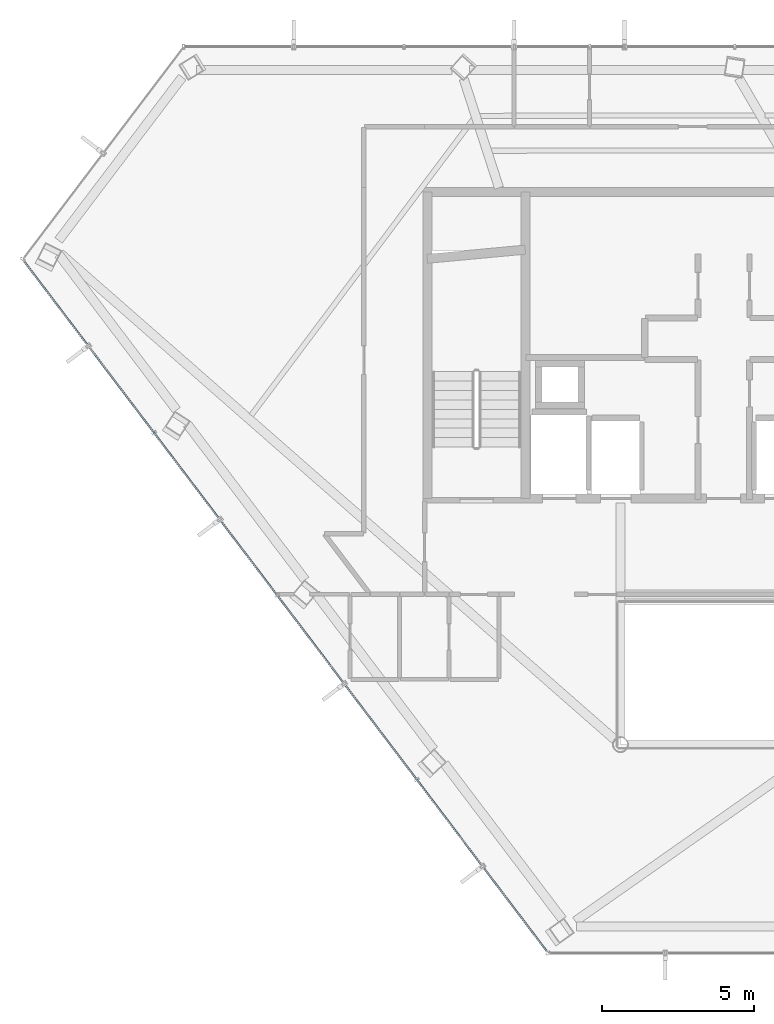
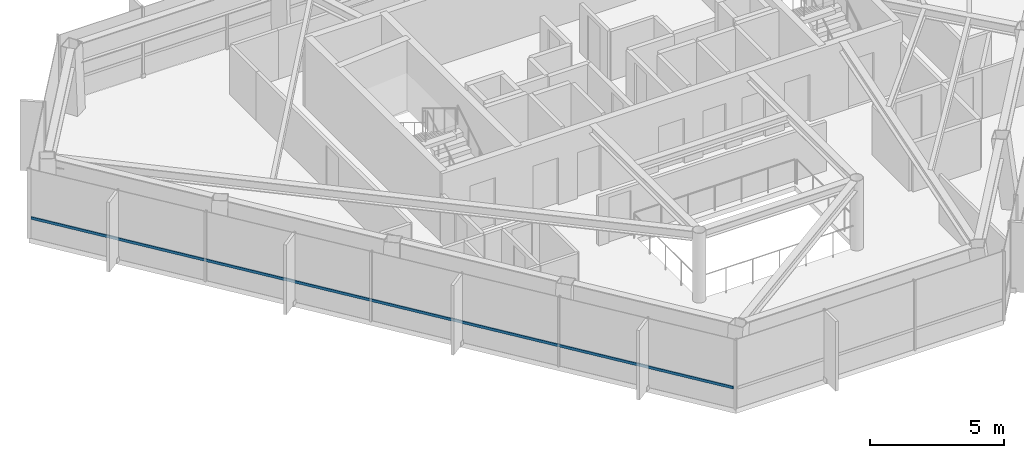
# One storey, part 4 of 27: 1 member, 1 element without a shape of its own.
"""IFC4 building model written with IfcOpenShell, lengths in metres."""

from ifc_helpers import new_model, si_unit, direction, frame, origin, origin_2d, place, context, subcontext, project, spatial, hollow_rectangle, extrude, material, layer, layer_set, material_profile, profile_set, type_object, element, aggregate, save


model = new_model("IFC4")

# Units and contexts
model_context = context("Model", 3, precision=1e-05, world=origin(), true_north=direction((0.0, 1.0)))
body_context = subcontext(model_context, "Body", "Model", "MODEL_VIEW")
ifc_project = project(units=[si_unit("LENGTHUNIT", "METRE"), si_unit("AREAUNIT", "SQUARE_METRE"), si_unit("VOLUMEUNIT", "CUBIC_METRE"), si_unit("PLANEANGLEUNIT", "RADIAN"), si_unit("MASSUNIT", "GRAM", prefix="KILO")], contexts=[model_context])

# Site, building, storey
site_placement = place(None, origin())
site = spatial("IfcSite", under=ifc_project, at=site_placement, CompositionType="ELEMENT")
building_placement = place(site_placement, origin())
building = spatial("IfcBuilding", under=site, at=building_placement, Name="Zarrinselat Tower", CompositionType="ELEMENT")
storey_placement = place(building_placement, frame((0.0, 0.0, 235.9599609375)))
storey = spatial("IfcBuildingStorey", under=building, at=storey_placement, Name="L59", CompositionType="ELEMENT", Elevation=235.9599609375)

# Curtain wall, member
ifc_material_1 = material(Name="Extruded Aluminium Alloy EN AW-6063 T6", Category="aluminium")
ifc_layer = layer(ifc_material_1, 0.169921875)
ifc_layer_set = layer_set([ifc_layer], Name="Extruded Aluminium Alloy EN AW-6063 T6")
curtain_wall_type = type_object("IfcCurtainWallType", Name="CWS-RES", PredefinedType="NOTDEFINED", material=ifc_layer_set)
curtain_wall_placement = place(storey_placement, origin())
curtain_wall = element("IfcCurtainWall", 1, at=curtain_wall_placement, inside=storey, type_object=curtain_wall_type, Name="L59 Unitised Curtain Wall CW-L59-E03", PredefinedType="NOTDEFINED")
ifc_material_2 = material(Name="Extruded Aluminium Alloy EN AW-6063 T6", Category="aluminium")
ifc_material_profile = material_profile(ifc_material_2, hollow_rectangle(XDim=0.06005859375, YDim=0.1201171875, WallThickness=0.00390625, at=origin_2d()), Name="RHS 120x60x4")
ifc_profile_set = profile_set([ifc_material_profile], Name="Extruded Aluminium Alloy EN AW-6063 T6")
member_type = type_object("IfcMemberType", Name="MEM-CW-TRN2", PredefinedType="USERDEFINED", material=ifc_profile_set)
member_placement = place(storey_placement, frame((15.365478515625, 41.10986328125, 0.949951171875), z_axis=(0.603860328371, -0.797090147862, 0.0), x_axis=(0.797090147862, 0.603860328371, 0.0)))
member = element("IfcMember", 2, at=member_placement, type_object=member_type, Name="CW-L59-E03 Transom 1", ObjectType="TRANSOM", PredefinedType="USERDEFINED", context=body_context, shape_type="SweptSolid", body=[
    extrude(hollow_rectangle(XDim=0.06005859375, YDim=0.1201171875, WallThickness=0.00390625, at=origin_2d()), origin(), (0.0, 0.0, 1.0), 28.483642578125),
])
aggregate(curtain_wall, [member])

save(model, "model.ifc")
